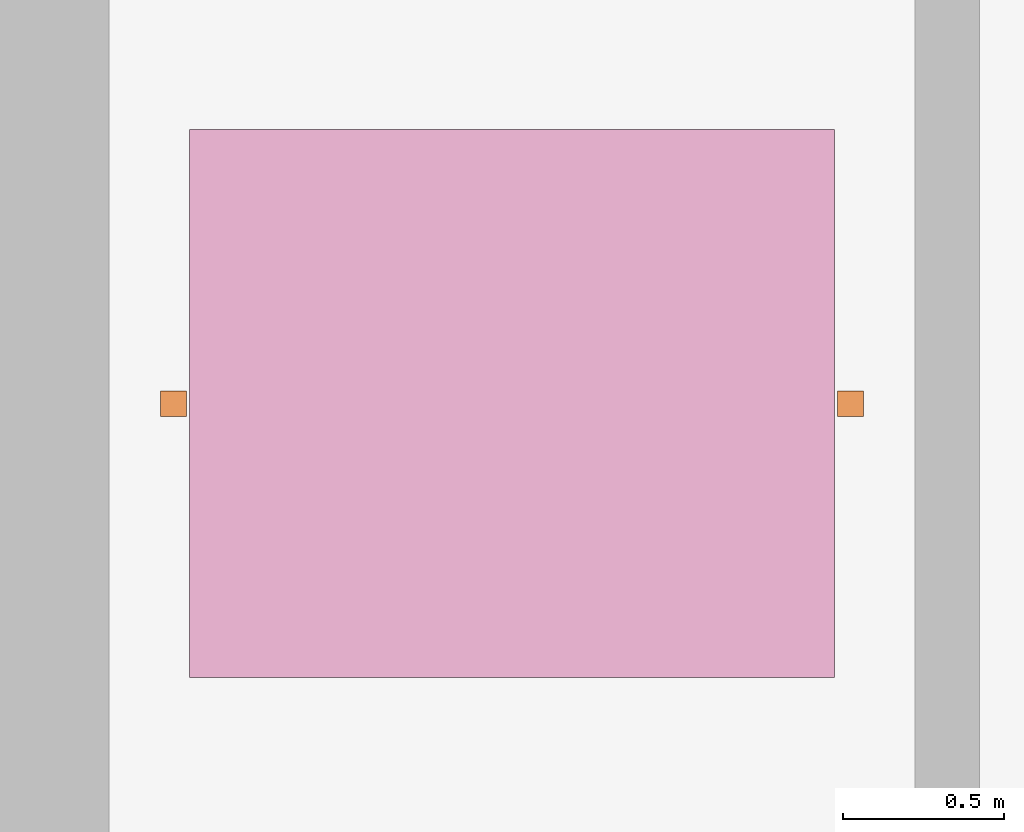
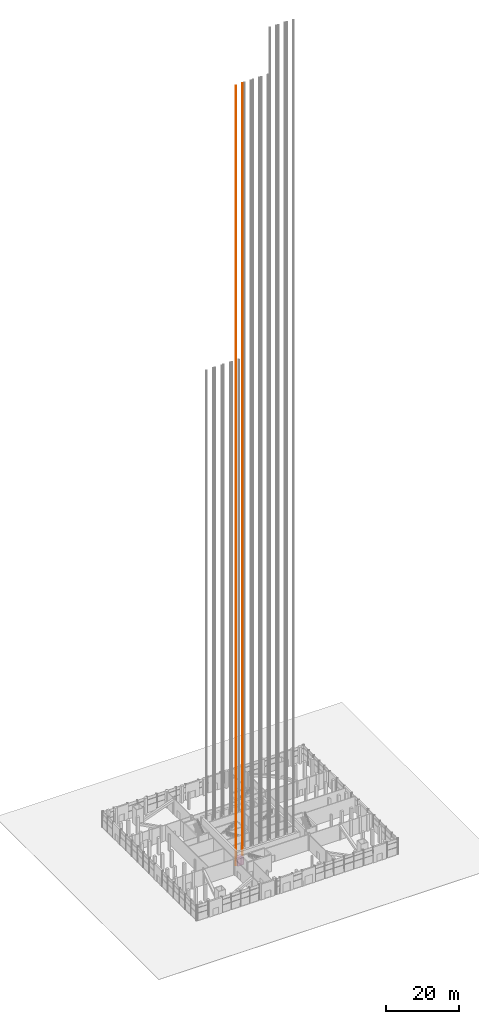
# One storey, part 17 of 27: 2 proxies, 1 transport element.
"""IFC4 building model written with IfcOpenShell, lengths in metres."""

from ifc_helpers import new_model, si_unit, direction, frame, origin, origin_2d, place, context, subcontext, project, spatial, rectangle, extrude, material, type_object, element, aggregate, save


model = new_model("IFC4")

# Units and contexts
model_context = context("Model", 3, precision=1e-05, world=origin(), true_north=direction((0.0, 1.0)))
body_context = subcontext(model_context, "Body", "Model", "MODEL_VIEW")
ifc_project = project(units=[si_unit("LENGTHUNIT", "METRE"), si_unit("AREAUNIT", "SQUARE_METRE"), si_unit("VOLUMEUNIT", "CUBIC_METRE"), si_unit("PLANEANGLEUNIT", "RADIAN"), si_unit("MASSUNIT", "GRAM", prefix="KILO")], contexts=[model_context])

# Site, building, storey
site_placement = place(None, origin())
site = spatial("IfcSite", under=ifc_project, at=site_placement, CompositionType="ELEMENT")
building_placement = place(site_placement, origin())
building = spatial("IfcBuilding", under=site, at=building_placement, Name="Turquesa Mirador Hotel Tower", CompositionType="ELEMENT")
storey_placement = place(building_placement, origin())
storey = spatial("IfcBuildingStorey", under=building, at=storey_placement, Name="L00", CompositionType="ELEMENT", Elevation=0.0)

# Transport element, proxies
ifc_material_1 = material(Name="Stainless steel lift car", Category="steel")
transport_element_type = type_object("IfcTransportElementType", Name="PASSENGER LIFT 1600 KG", PredefinedType="ELEVATOR", material=ifc_material_1)
transport_element_placement = place(storey_placement, frame((46.85009765625, 36.949951171875, 0.0), z_axis=(0.0, 0.0, 1.0), x_axis=(1.0, 0.0, 0.0)))
transport_element = element("IfcTransportElement", 1, at=transport_element_placement, inside=storey, type_object=transport_element_type, Name="Lift B1", PredefinedType="ELEVATOR", context=body_context, shape_type="SweptSolid", body=[
    extrude(rectangle(XDim=2.0, YDim=1.699951171875, at=origin_2d()), origin(), (0.0, 0.0, 1.0), 2.39990234375),
])
ifc_material_2 = material(Name="Steel ASTM A992 Grade 50", Category="steel")
building_element_proxy_type = type_object("IfcBuildingElementProxyType", Name="LIFT GUIDE RAIL 80X80", PredefinedType="USERDEFINED", material=ifc_material_2)
proxy_1_placement = place(storey_placement, frame((45.800048828125, 36.949951171875, 0.0), z_axis=(0.0, 0.0, 1.0), x_axis=(1.0, 0.0, 0.0)))
proxy_1 = element("IfcBuildingElementProxy", 2, at=proxy_1_placement, type_object=building_element_proxy_type, Name="Lift B1 guide rail 1", ObjectType="LIFT GUIDE RAIL", PredefinedType="USERDEFINED", context=body_context, shape_type="SweptSolid", body=[
    extrude(rectangle(XDim=0.080078125, YDim=0.080078125, at=origin_2d()), origin(), (0.0, 0.0, 1.0), 261.5),
])
proxy_2_placement = place(storey_placement, frame((47.89990234375, 36.949951171875, 0.0), z_axis=(0.0, 0.0, 1.0), x_axis=(1.0, 0.0, 0.0)))
proxy_2 = element("IfcBuildingElementProxy", 3, at=proxy_2_placement, type_object=building_element_proxy_type, Name="Lift B1 guide rail 2", ObjectType="LIFT GUIDE RAIL", PredefinedType="USERDEFINED", context=body_context, shape_type="SweptSolid", body=[
    extrude(rectangle(XDim=0.080078125, YDim=0.080078125, at=origin_2d()), origin(), (0.0, 0.0, 1.0), 261.5),
])
aggregate(transport_element, [proxy_1, proxy_2])

save(model, "model.ifc")
